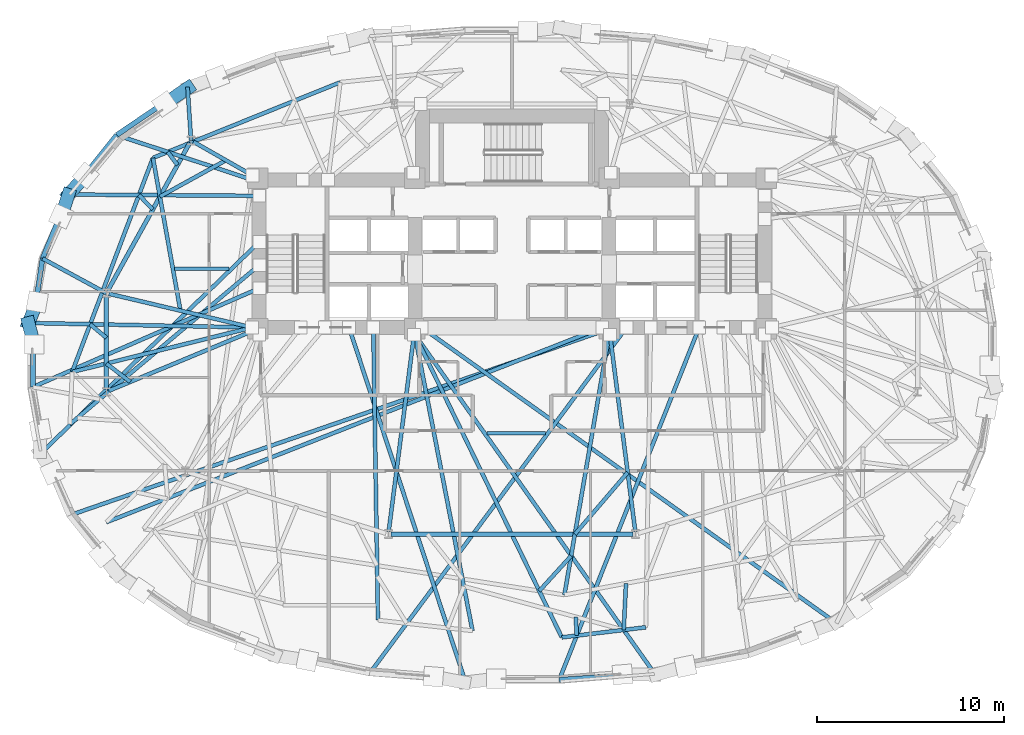
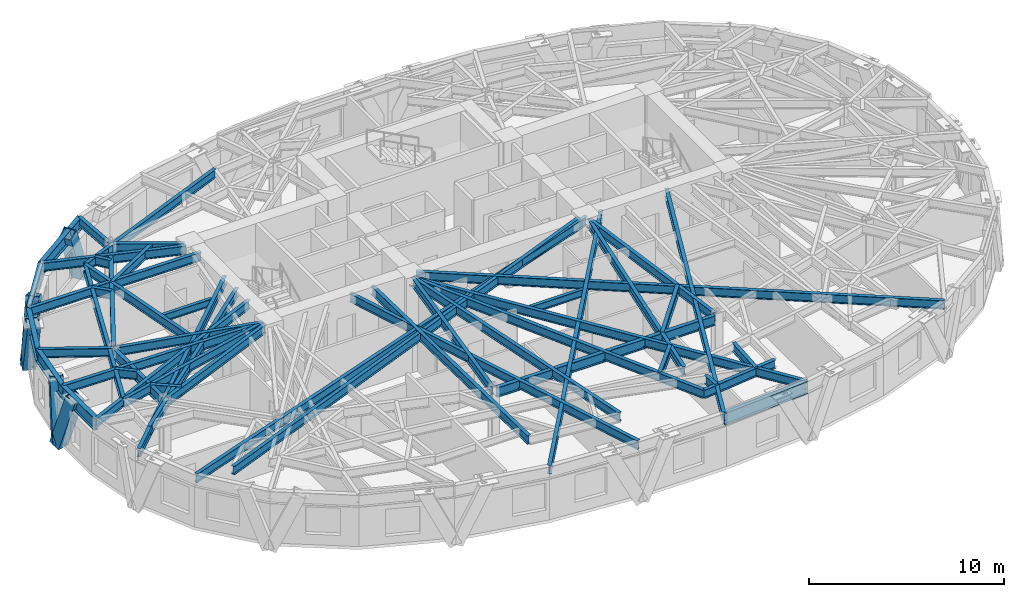
# One storey, part 2 of 14: 49 beams, 5 members.
"""IFC4 building model written with IfcOpenShell, lengths in metres."""

from ifc_helpers import new_model, si_unit, direction, frame, origin, origin_2d, place, context, subcontext, project, spatial, hollow_rectangle, i_section, extrude, material, material_profile, profile_set, type_object, element, save


model = new_model("IFC4")

# Units and contexts
model_context = context("Model", 3, precision=1e-05, world=origin(), true_north=direction((0.0, 1.0)))
body_context = subcontext(model_context, "Body", "Model", "MODEL_VIEW")
ifc_project = project(units=[si_unit("LENGTHUNIT", "METRE"), si_unit("AREAUNIT", "SQUARE_METRE"), si_unit("VOLUMEUNIT", "CUBIC_METRE"), si_unit("PLANEANGLEUNIT", "RADIAN"), si_unit("MASSUNIT", "GRAM", prefix="KILO")], contexts=[model_context])

# Site, building, storey
site_placement = place(None, origin())
site = spatial("IfcSite", under=ifc_project, at=site_placement, CompositionType="ELEMENT")
building_placement = place(site_placement, origin())
building = spatial("IfcBuilding", under=site, at=building_placement, Name="Keldmark Tower", CompositionType="ELEMENT")
storey_placement = place(building_placement, frame((0.0, 0.0, 124.60009765625)))
storey = spatial("IfcBuildingStorey", under=building, at=storey_placement, Name="L33", CompositionType="ELEMENT", Elevation=124.60009765625)

# Beams
ifc_material_1 = material(Name="Steel ASTM A992 Grade 50", Category="steel")
ifc_material_profile_1 = material_profile(ifc_material_1, i_section(OverallWidth=0.19091796875, OverallDepth=0.45703125, WebThickness=0.009033203125, FlangeThickness=0.014404296875, at=origin_2d()), Name="W18X50")
ifc_profile_set_1 = profile_set([ifc_material_profile_1], Name="Steel ASTM A992 Grade 50")
beam_type_1 = type_object("IfcBeamType", Name="Composite Floor Joist W18X50", PredefinedType="JOIST", material=ifc_profile_set_1)
beam_1_placement = place(storey_placement, frame((-1.34765625, -4.179931640625, 3.081298828125), z_axis=(1.0, 0.0, 0.0), x_axis=(0.0, 1.0, 0.0)))
element("IfcBeam", 1, at=beam_1_placement, inside=storey, type_object=beam_type_1, Name="L33 Composite Floor Joist J02", PredefinedType="JOIST", context=body_context, shape_type="SweptSolid", body=[
    extrude(i_section(OverallWidth=0.19091796875, OverallDepth=0.45703125, WebThickness=0.009033203125, FlangeThickness=0.014404296875, at=origin_2d()), origin(), (0.0, 0.0, 1.0), 3.148681640625),
])
beam_2_placement = place(storey_placement, frame((-18.0419921875, 4.6201171875, 3.081298828125), z_axis=(1.0, 0.0, 0.0), x_axis=(0.0, 1.0, 0.0)))
element("IfcBeam", 2, at=beam_2_placement, inside=storey, type_object=beam_type_1, Name="L33 Composite Floor Joist J05", PredefinedType="JOIST", context=body_context, shape_type="SweptSolid", body=[
    extrude(i_section(OverallWidth=0.19091796875, OverallDepth=0.45703125, WebThickness=0.009033203125, FlangeThickness=0.014404296875, at=origin_2d()), origin(), (0.0, 0.0, 1.0), 2.90576171875),
])

# Members
ifc_material_2 = material(Name="Steel ASTM A572 Grade 50", Category="steel")
ifc_material_profile_2 = material_profile(ifc_material_2, hollow_rectangle(XDim=0.699951171875, YDim=0.699951171875, WallThickness=0.044921875, at=origin_2d()), Name="BOX700X700X45")
ifc_profile_set_2 = profile_set([ifc_material_profile_2], Name="Steel ASTM A572 Grade 50")
member_type = type_object("IfcMemberType", Name="Diagrid Zone 2 Brace BOX700X700X45", PredefinedType="BRACE", material=ifc_profile_set_2)
member_1_placement = place(storey_placement, frame((-17.322021484375, 14.29541015625, -0.27001953125), z_axis=(-0.332975985914, -0.227601386532, 0.915054425514), x_axis=(0.564305085306, -0.825566333312, 0.0)))
element("IfcMember", 3, at=member_1_placement, inside=storey, type_object=member_type, Name="L33 Perimeter Diagrid Brace 06B", PredefinedType="BRACE", context=body_context, shape_type="SweptSolid", body=[
    extrude(hollow_rectangle(XDim=0.699951171875, YDim=0.699951171875, WallThickness=0.044921875, at=origin_2d()), origin(), (0.0, 0.0, 1.0), 3.78125),
])
member_2_placement = place(storey_placement, frame((-23.7333984375, 8.57958984375, -0.27001953125), z_axis=(0.250572025596, 0.27604171934, 0.927908739679), x_axis=(-0.740440522639, 0.672121888079, 0.0)))
element("IfcMember", 4, at=member_2_placement, inside=storey, type_object=member_type, Name="L33 Perimeter Diagrid Brace 07A", PredefinedType="BRACE", context=body_context, shape_type="SweptSolid", body=[
    extrude(hollow_rectangle(XDim=0.699951171875, YDim=0.699951171875, WallThickness=0.044921875, at=origin_2d()), origin(), (0.0, 0.0, 1.0), 3.728759765625),
])
member_3_placement = place(storey_placement, frame((-23.72705078125, 8.58935546875, -0.27001953125), z_axis=(-0.105278701487, -0.318893440489, 0.94192535194), x_axis=(0.949589769404, -0.313495246923, 0.0)))
element("IfcMember", 5, at=member_3_placement, inside=storey, type_object=member_type, Name="L33 Perimeter Diagrid Brace 07B", PredefinedType="BRACE", context=body_context, shape_type="SweptSolid", body=[
    extrude(hollow_rectangle(XDim=0.699951171875, YDim=0.699951171875, WallThickness=0.044921875, at=origin_2d()), origin(), (0.0, 0.0, 1.0), 3.67333984375),
])
member_4_placement = place(storey_placement, frame((-25.86767578125, 1.7138671875, -0.27001953125), z_axis=(0.128175440541, 0.308166484705, 0.94265819582), x_axis=(-0.923318485123, 0.384035122131, 0.0)))
element("IfcMember", 6, at=member_4_placement, inside=storey, type_object=member_type, Name="L33 Perimeter Diagrid Brace 08A", PredefinedType="BRACE", context=body_context, shape_type="SweptSolid", body=[
    extrude(hollow_rectangle(XDim=0.699951171875, YDim=0.699951171875, WallThickness=0.044921875, at=origin_2d()), origin(), (0.0, 0.0, 1.0), 3.67041015625),
])
member_5_placement = place(storey_placement, frame((-25.865478515625, 1.725341796875, -0.27001953125), z_axis=(0.081542151597, -0.317034285237, 0.944902185148), x_axis=(0.9684788952, 0.249095623308, 0.0)))
element("IfcMember", 7, at=member_5_placement, inside=storey, type_object=member_type, Name="L33 Perimeter Diagrid Brace 08B", PredefinedType="BRACE", context=body_context, shape_type="SweptSolid", body=[
    extrude(hollow_rectangle(XDim=0.699951171875, YDim=0.699951171875, WallThickness=0.044921875, at=origin_2d()), origin(), (0.0, 0.0, 1.0), 3.66162109375),
])

# Beams
ifc_material_3 = material(Name="Steel ASTM A992 Grade 50", Category="steel")
ifc_material_profile_3 = material_profile(ifc_material_3, i_section(OverallWidth=0.22900390625, OverallDepth=0.612060546875, WebThickness=0.011962890625, FlangeThickness=0.01953125, at=origin_2d()), Name="W24X84")
ifc_profile_set_3 = profile_set([ifc_material_profile_3], Name="Steel ASTM A992 Grade 50")
beam_type_2 = type_object("IfcBeamType", Name="Primary Floor Girder W24X84", PredefinedType="BEAM", material=ifc_profile_set_3)
beam_3_placement = place(storey_placement, frame((-17.235107421875, 11.35595703125, 3.00390625), z_axis=(-0.484951836703, -0.874540860154, 0.0), x_axis=(0.874540860154, -0.484951836703, 0.0)))
element("IfcBeam", 8, at=beam_3_placement, inside=storey, type_object=beam_type_2, Name="L33 Floor Ring Girder FG-R05", PredefinedType="BEAM", context=body_context, shape_type="SweptSolid", body=[
    extrude(i_section(OverallWidth=0.22900390625, OverallDepth=0.612060546875, WebThickness=0.011962890625, FlangeThickness=0.01953125, at=origin_2d()), origin(), (0.0, 0.0, 1.0), 9.060302734375),
])
beam_4_placement = place(storey_placement, frame((-21.697021484375, 3.169921875, 3.00390625), z_axis=(0.0, -1.0, 0.0), x_axis=(1.0, 0.0, 0.0)))
element("IfcBeam", 9, at=beam_4_placement, inside=storey, type_object=beam_type_2, Name="L33 Floor Ring Girder FG-R06", PredefinedType="BEAM", context=body_context, shape_type="SweptSolid", body=[
    extrude(i_section(OverallWidth=0.22900390625, OverallDepth=0.612060546875, WebThickness=0.011962890625, FlangeThickness=0.01953125, at=origin_2d()), origin(), (0.0, 0.0, 1.0), 4.995849609375),
])
beam_5_placement = place(storey_placement, frame((-6.472900390625, -9.579345703125, 3.00390625), z_axis=(1.0, 0.0, 0.0), x_axis=(0.0, 1.0, 0.0)))
element("IfcBeam", 10, at=beam_5_placement, inside=storey, type_object=beam_type_2, Name="L33 Floor Ring Girder FG-R09", PredefinedType="BEAM", context=body_context, shape_type="SweptSolid", body=[
    extrude(i_section(OverallWidth=0.22900390625, OverallDepth=0.612060546875, WebThickness=0.011962890625, FlangeThickness=0.01953125, at=origin_2d()), origin(), (0.0, 0.0, 1.0), 12.94580078125),
])
ifc_material_4 = material(Name="Steel ASTM A992 Grade 50", Category="steel")
ifc_material_profile_4 = material_profile(ifc_material_4, i_section(OverallWidth=0.2099609375, OverallDepth=0.537109375, WebThickness=0.010986328125, FlangeThickness=0.017333984375, at=origin_2d()), Name="W21X68")
ifc_profile_set_4 = profile_set([ifc_material_profile_4], Name="Steel ASTM A992 Grade 50")
beam_type_3 = type_object("IfcBeamType", Name="Radial Tie Girder W21X68", PredefinedType="BEAM", material=ifc_profile_set_4)
beam_6_placement = place(storey_placement, frame((-17.04541015625, 11.4091796875, 3.04150390625), z_axis=(0.86928447329, -0.494312152892, 0.0), x_axis=(0.494312152892, 0.86928447329, 0.0)))
element("IfcBeam", 11, at=beam_6_placement, inside=storey, type_object=beam_type_3, Name="L33 Floor Radial Girder FG-C05", PredefinedType="BEAM", context=body_context, shape_type="SweptSolid", body=[
    extrude(i_section(OverallWidth=0.2099609375, OverallDepth=0.537109375, WebThickness=0.010986328125, FlangeThickness=0.017333984375, at=origin_2d()), origin(), (0.0, 0.0, 1.0), 3.6435546875),
])
beam_7_placement = place(storey_placement, frame((-21.560546875, 3.27783203125, 3.04150390625), z_axis=(0.973283778272, -0.229605502879, 0.0), x_axis=(0.229605502879, 0.973283778272, 0.0)))
element("IfcBeam", 12, at=beam_7_placement, inside=storey, type_object=beam_type_3, Name="L33 Floor Radial Girder FG-C06", PredefinedType="BEAM", context=body_context, shape_type="SweptSolid", body=[
    extrude(i_section(OverallWidth=0.2099609375, OverallDepth=0.537109375, WebThickness=0.010986328125, FlangeThickness=0.017333984375, at=origin_2d()), origin(), (0.0, 0.0, 1.0), 7.85888671875),
])
beam_8_placement = place(storey_placement, frame((-21.567626953125, -1.912109375, 3.04150390625), z_axis=(0.923397393633, 0.383845350932, 0.0), x_axis=(-0.383845350932, 0.923397393633, 0.0)))
element("IfcBeam", 13, at=beam_8_placement, inside=storey, type_object=beam_type_3, Name="L33 Floor Radial Girder FG-C07", PredefinedType="BEAM", context=body_context, shape_type="SweptSolid", body=[
    extrude(i_section(OverallWidth=0.2099609375, OverallDepth=0.537109375, WebThickness=0.010986328125, FlangeThickness=0.017333984375, at=origin_2d()), origin(), (0.0, 0.0, 1.0), 8.30859375),
])
for number, where, z_axis, x_axis, name in (
    (14, (-6.594970703125, -9.4404296875, 3.04150390625), (0.127642040045, 0.991820301069, 0.0), (-0.991820301069, 0.127642040045, 0.0), "L33 Floor Radial Girder FG-C09"),
    (15, (6.594970703125, -9.4404296875, 3.04150390625), (-0.127642040045, 0.991820301069, 0.0), (-0.991820301069, -0.127642040045, 0.0), "L33 Floor Radial Girder FG-C10"),
):
    element("IfcBeam", number, at=place(storey_placement, frame(where, z_axis=z_axis, x_axis=x_axis)), inside=storey, type_object=beam_type_3, Name=name, PredefinedType="BEAM", context=body_context, shape_type="SweptSolid", body=[
        extrude(i_section(OverallWidth=0.2099609375, OverallDepth=0.537109375, WebThickness=0.010986328125, FlangeThickness=0.017333984375, at=origin_2d()), origin(), (0.0, 0.0, 1.0), 10.609619140625),
    ])
beam_9_placement = place(storey_placement, frame((-15.303466796875, 10.418701171875, 3.04150390625), z_axis=(-0.875866476155, -0.482553536873, 0.0), x_axis=(0.482553536873, -0.875866476155, 0.0)))
element("IfcBeam", 16, at=beam_9_placement, inside=storey, type_object=beam_type_3, Name="L33 Framing Pin Header PH-006", PredefinedType="BEAM", context=body_context, shape_type="SweptSolid", body=[
    extrude(i_section(OverallWidth=0.2099609375, OverallDepth=0.537109375, WebThickness=0.010986328125, FlangeThickness=0.017333984375, at=origin_2d()), origin(), (0.0, 0.0, 1.0), 4.02978515625),
])
beam_10_placement = place(storey_placement, frame((-17.736083984375, 2.375732421875, 3.04150390625), z_axis=(-0.177042471135, 0.984203212459, 0.0), x_axis=(-0.984203212459, -0.177042471135, 0.0)))
element("IfcBeam", 17, at=beam_10_placement, inside=storey, type_object=beam_type_3, Name="L33 Sub-Ring Step Girder STP1-M06", PredefinedType="BEAM", context=body_context, shape_type="SweptSolid", body=[
    extrude(i_section(OverallWidth=0.2099609375, OverallDepth=0.537109375, WebThickness=0.010986328125, FlangeThickness=0.017333984375, at=origin_2d()), origin(), (0.0, 0.0, 1.0), 8.301513671875),
])
beam_11_placement = place(storey_placement, frame((-20.416748046875, -1.433837890625, 3.04150390625), z_axis=(-0.793489446427, 0.608584010971, 0.0), x_axis=(-0.608584010971, -0.793489446427, 0.0)))
element("IfcBeam", 18, at=beam_11_placement, inside=storey, type_object=beam_type_3, Name="L33 Framing Pin Header PH-007", PredefinedType="BEAM", context=body_context, shape_type="SweptSolid", body=[
    extrude(i_section(OverallWidth=0.2099609375, OverallDepth=0.537109375, WebThickness=0.010986328125, FlangeThickness=0.017333984375, at=origin_2d()), origin(), (0.0, 0.0, 1.0), 1.613525390625),
])
beam_12_placement = place(storey_placement, frame((-13.89990234375, 1.47509765625, 3.04150390625), z_axis=(-0.970797871066, -0.239898923579, 0.0), x_axis=(0.239898923579, -0.970797871066, 0.0)))
element("IfcBeam", 19, at=beam_12_placement, inside=storey, type_object=beam_type_3, Name="L33 Sub-Ring Step Girder STP1-M07", PredefinedType="BEAM", context=body_context, shape_type="SweptSolid", body=[
    extrude(i_section(OverallWidth=0.2099609375, OverallDepth=0.537109375, WebThickness=0.010986328125, FlangeThickness=0.017333984375, at=origin_2d()), origin(), (0.0, 0.0, 1.0), 9.916259765625),
])
beam_13_placement = place(storey_placement, frame((-9.188720703125, 14.5888671875, 3.04150390625), z_axis=(-0.927326627056, -0.374253025041, 0.0), x_axis=(0.374253025041, -0.927326627056, 0.0)))
element("IfcBeam", 20, at=beam_13_placement, inside=storey, type_object=beam_type_3, Name="L33 Perimeter Collector Ring Beam CRG1-M05", PredefinedType="BEAM", context=body_context, shape_type="SweptSolid", body=[
    extrude(i_section(OverallWidth=0.2099609375, OverallDepth=0.537109375, WebThickness=0.010986328125, FlangeThickness=0.017333984375, at=origin_2d()), origin(), (0.0, 0.0, 1.0), 10.802001953125),
])
beam_14_placement = place(storey_placement, frame((-19.205810546875, 10.546142578125, 3.04150390625), z_axis=(-0.353061865189, -0.935599978275, 0.0), x_axis=(0.935599978275, -0.353061865189, 0.0)))
element("IfcBeam", 21, at=beam_14_placement, inside=storey, type_object=beam_type_3, Name="L33 Perimeter Collector Ring Beam CRG1-M06", PredefinedType="BEAM", context=body_context, shape_type="SweptSolid", body=[
    extrude(i_section(OverallWidth=0.2099609375, OverallDepth=0.537109375, WebThickness=0.010986328125, FlangeThickness=0.017333984375, at=origin_2d()), origin(), (0.0, 0.0, 1.0), 12.238037109375),
])
beam_15_placement = place(storey_placement, frame((6.188720703125, -6.283447265625, 3.04150390625), z_axis=(-0.650842316998, -0.759212933507, 0.0), x_axis=(0.759212933507, -0.650842316998, 0.0)))
element("IfcBeam", 22, at=beam_15_placement, inside=storey, type_object=beam_type_3, Name="L33 Framing Pin Header PH-011", PredefinedType="BEAM", context=body_context, shape_type="SweptSolid", body=[
    extrude(i_section(OverallWidth=0.2099609375, OverallDepth=0.537109375, WebThickness=0.010986328125, FlangeThickness=0.017333984375, at=origin_2d()), origin(), (0.0, 0.0, 1.0), 4.34130859375),
])
beam_16_placement = place(storey_placement, frame((5.199951171875, 1.10009765625, 3.04150390625), z_axis=(-0.169486376085, -0.985532530321, 0.0), x_axis=(0.985532530321, -0.169486376085, 0.0)))
element("IfcBeam", 23, at=beam_16_placement, inside=storey, type_object=beam_type_3, Name="L33 Sub-Ring Step Girder STP2-M10", PredefinedType="BEAM", context=body_context, shape_type="SweptSolid", body=[
    extrude(i_section(OverallWidth=0.2099609375, OverallDepth=0.537109375, WebThickness=0.010986328125, FlangeThickness=0.017333984375, at=origin_2d()), origin(), (0.0, 0.0, 1.0), 14.134033203125),
])
beam_17_placement = place(storey_placement, frame((-17.1669921875, 11.478271484375, 3.04150390625), z_axis=(-0.06567657355, 0.997840963123, 0.0), x_axis=(-0.997840963123, -0.06567657355, 0.0)))
element("IfcBeam", 24, at=beam_17_placement, inside=storey, type_object=beam_type_3, Name="L33 Perimeter Column Bracket RT-12", PredefinedType="BEAM", context=body_context, shape_type="SweptSolid", body=[
    extrude(i_section(OverallWidth=0.2099609375, OverallDepth=0.537109375, WebThickness=0.010986328125, FlangeThickness=0.017333984375, at=origin_2d()), origin(), (0.0, 0.0, 1.0), 2.865966796875),
])
beam_18_placement = place(storey_placement, frame((-17.89404296875, 10.16748046875, 3.04150390625), z_axis=(-0.598473992641, 0.801142234645, 0.0), x_axis=(-0.801142234645, -0.598473992641, 0.0)))
element("IfcBeam", 25, at=beam_18_placement, inside=storey, type_object=beam_type_3, Name="L33 Framing Pin Header PH-021", PredefinedType="BEAM", context=body_context, shape_type="SweptSolid", body=[
    extrude(i_section(OverallWidth=0.2099609375, OverallDepth=0.537109375, WebThickness=0.010986328125, FlangeThickness=0.017333984375, at=origin_2d()), origin(), (0.0, 0.0, 1.0), 0.870849609375),
])
beam_19_placement = place(storey_placement, frame((-13.89990234375, 9.375, 3.04150390625), z_axis=(-0.949610083741, 0.313433707276, 0.0), x_axis=(-0.313433707276, -0.949610083741, 0.0)))
element("IfcBeam", 26, at=beam_19_placement, inside=storey, type_object=beam_type_3, Name="L33 Perimeter Radial Tie Girder RT-13", PredefinedType="BEAM", context=body_context, shape_type="SweptSolid", body=[
    extrude(i_section(OverallWidth=0.2099609375, OverallDepth=0.537109375, WebThickness=0.010986328125, FlangeThickness=0.017333984375, at=origin_2d()), origin(), (0.0, 0.0, 1.0), 7.6318359375),
])
beam_20_placement = place(storey_placement, frame((-19.21240234375, 7.790283203125, 3.04150390625), z_axis=(-0.694211586082, 0.719770987016, 0.0), x_axis=(-0.719770987016, -0.694211586082, 0.0)))
element("IfcBeam", 27, at=beam_20_placement, inside=storey, type_object=beam_type_3, Name="L33 Framing Pin Header PH-022", PredefinedType="BEAM", context=body_context, shape_type="SweptSolid", body=[
    extrude(i_section(OverallWidth=0.2099609375, OverallDepth=0.537109375, WebThickness=0.010986328125, FlangeThickness=0.017333984375, at=origin_2d()), origin(), (0.0, 0.0, 1.0), 1.06982421875),
])
beam_21_placement = place(storey_placement, frame((-13.52490234375, 8.514404296875, 3.04150390625), z_axis=(-0.999974581324, 0.007129986332, 0.0), x_axis=(-0.007129986332, -0.999974581324, 0.0)))
element("IfcBeam", 28, at=beam_21_placement, inside=storey, type_object=beam_type_3, Name="L33 Perimeter Radial Tie Girder RT-14", PredefinedType="BEAM", context=body_context, shape_type="SweptSolid", body=[
    extrude(i_section(OverallWidth=0.2099609375, OverallDepth=0.537109375, WebThickness=0.010986328125, FlangeThickness=0.017333984375, at=origin_2d()), origin(), (0.0, 0.0, 1.0), 10.169677734375),
])
beam_22_placement = place(storey_placement, frame((-21.697021484375, 3.309814453125, 3.04150390625), z_axis=(-0.878689267089, 0.477394147327, 0.0), x_axis=(-0.477394147327, -0.878689267089, 0.0)))
element("IfcBeam", 29, at=beam_22_placement, inside=storey, type_object=beam_type_3, Name="L33 Perimeter Column Bracket RT-15", PredefinedType="BEAM", context=body_context, shape_type="SweptSolid", body=[
    extrude(i_section(OverallWidth=0.2099609375, OverallDepth=0.537109375, WebThickness=0.010986328125, FlangeThickness=0.017333984375, at=origin_2d()), origin(), (0.0, 0.0, 1.0), 3.885009765625),
])
beam_23_placement = place(storey_placement, frame((-21.697021484375, 0.921875, 3.04150390625), z_axis=(-0.765543273043, 0.643384408498, 0.0), x_axis=(-0.643384408498, -0.765543273043, 0.0)))
element("IfcBeam", 30, at=beam_23_placement, inside=storey, type_object=beam_type_3, Name="L33 Framing Pin Header PH-023", PredefinedType="BEAM", context=body_context, shape_type="SweptSolid", body=[
    extrude(i_section(OverallWidth=0.2099609375, OverallDepth=0.537109375, WebThickness=0.010986328125, FlangeThickness=0.017333984375, at=origin_2d()), origin(), (0.0, 0.0, 1.0), 1.131103515625),
])
beam_24_placement = place(storey_placement, frame((-13.89990234375, 1.47509765625, 3.04150390625), z_axis=(-0.999797404583, 0.020128332991, 0.0), x_axis=(-0.020128332991, -0.999797404583, 0.0)))
element("IfcBeam", 31, at=beam_24_placement, inside=storey, type_object=beam_type_3, Name="L33 Perimeter Radial Tie Girder RT-16", PredefinedType="BEAM", context=body_context, shape_type="SweptSolid", body=[
    extrude(i_section(OverallWidth=0.2099609375, OverallDepth=0.537109375, WebThickness=0.010986328125, FlangeThickness=0.017333984375, at=origin_2d()), origin(), (0.0, 0.0, 1.0), 11.72900390625),
])
beam_25_placement = place(storey_placement, frame((-13.52490234375, 3.5712890625, 3.04150390625), z_axis=(-0.916489709858, -0.400058260414, 0.0), x_axis=(0.400058260414, -0.916489709858, 0.0)))
element("IfcBeam", 32, at=beam_25_placement, inside=storey, type_object=beam_type_3, Name="L33 Perimeter Radial Tie Girder RT-17", PredefinedType="BEAM", context=body_context, shape_type="SweptSolid", body=[
    extrude(i_section(OverallWidth=0.2099609375, OverallDepth=0.537109375, WebThickness=0.010986328125, FlangeThickness=0.017333984375, at=origin_2d()), origin(), (0.0, 0.0, 1.0), 13.204345703125),
])
beam_26_placement = place(storey_placement, frame((-13.52490234375, 4.80712890625, 3.04150390625), z_axis=(-0.765606304819, -0.643309401472, 0.0), x_axis=(0.643309401472, -0.765606304819, 0.0)))
element("IfcBeam", 33, at=beam_26_placement, inside=storey, type_object=beam_type_3, Name="L33 Intermediate Radial Step Girder RT-18M", PredefinedType="BEAM", context=body_context, shape_type="SweptSolid", body=[
    extrude(i_section(OverallWidth=0.2099609375, OverallDepth=0.537109375, WebThickness=0.010986328125, FlangeThickness=0.017333984375, at=origin_2d()), origin(), (0.0, 0.0, 1.0), 13.225341796875),
])
beam_27_placement = place(storey_placement, frame((-13.52490234375, 6.04296875, 3.04150390625), z_axis=(-0.718747152296, -0.695271552033, 0.0), x_axis=(0.695271552033, -0.718747152296, 0.0)))
element("IfcBeam", 34, at=beam_27_placement, inside=storey, type_object=beam_type_3, Name="L33 Perimeter Radial Tie Girder RT-18", PredefinedType="BEAM", context=body_context, shape_type="SweptSolid", body=[
    extrude(i_section(OverallWidth=0.2099609375, OverallDepth=0.537109375, WebThickness=0.010986328125, FlangeThickness=0.017333984375, at=origin_2d()), origin(), (0.0, 0.0, 1.0), 16.11962890625),
])
beam_28_placement = place(storey_placement, frame((4.824951171875, 1.47509765625, 3.04150390625), z_axis=(-0.930775127443, -0.36559220743, 0.0), x_axis=(0.36559220743, -0.930775127443, 0.0)))
element("IfcBeam", 35, at=beam_28_placement, inside=storey, type_object=beam_type_3, Name="L33 Intermediate Radial Step Girder RT-19M", PredefinedType="BEAM", context=body_context, shape_type="SweptSolid", body=[
    extrude(i_section(OverallWidth=0.2099609375, OverallDepth=0.537109375, WebThickness=0.010986328125, FlangeThickness=0.017333984375, at=origin_2d()), origin(), (0.0, 0.0, 1.0), 28.49951171875),
])
beam_29_placement = place(storey_placement, frame((5.199951171875, 1.39990234375, 3.04150390625), z_axis=(-0.945138167254, -0.326670850856, 0.0), x_axis=(0.326670850856, -0.945138167254, 0.0)))
element("IfcBeam", 36, at=beam_29_placement, inside=storey, type_object=beam_type_3, Name="L33 Perimeter Radial Tie Girder RT-19", PredefinedType="BEAM", context=body_context, shape_type="SweptSolid", body=[
    extrude(i_section(OverallWidth=0.2099609375, OverallDepth=0.537109375, WebThickness=0.010986328125, FlangeThickness=0.017333984375, at=origin_2d()), origin(), (0.0, 0.0, 1.0), 30.571533203125),
])
beam_30_placement = place(storey_placement, frame((-7.41796875, 1.47509765625, 3.04150390625), z_axis=(0.015748288493, -0.999875988015, 0.0), x_axis=(0.999875988015, 0.015748288493, 0.0)))
element("IfcBeam", 37, at=beam_30_placement, inside=storey, type_object=beam_type_3, Name="L33 Intermediate Radial Step Girder RT-23M", PredefinedType="BEAM", context=body_context, shape_type="SweptSolid", body=[
    extrude(i_section(OverallWidth=0.2099609375, OverallDepth=0.537109375, WebThickness=0.010986328125, FlangeThickness=0.017333984375, at=origin_2d()), origin(), (0.0, 0.0, 1.0), 15.65771484375),
])
beam_31_placement = place(storey_placement, frame((-5.199951171875, 1.10009765625, 3.04150390625), z_axis=(0.191202706914, -0.981550571733, 0.0), x_axis=(0.981550571733, 0.191202706914, 0.0)))
element("IfcBeam", 38, at=beam_31_placement, inside=storey, type_object=beam_type_3, Name="L33 Intermediate Radial Step Girder RT-24M", PredefinedType="BEAM", context=body_context, shape_type="SweptSolid", body=[
    extrude(i_section(OverallWidth=0.2099609375, OverallDepth=0.537109375, WebThickness=0.010986328125, FlangeThickness=0.017333984375, at=origin_2d()), origin(), (0.0, 0.0, 1.0), 16.147216796875),
])
beam_32_placement = place(storey_placement, frame((-8.71435546875, 1.47509765625, 3.04150390625), z_axis=(0.312008905764, -0.950079177081, 0.0), x_axis=(0.950079177081, 0.312008905764, 0.0)))
element("IfcBeam", 39, at=beam_32_placement, inside=storey, type_object=beam_type_3, Name="L33 Perimeter Radial Tie Girder RT-24", PredefinedType="BEAM", context=body_context, shape_type="SweptSolid", body=[
    extrude(i_section(OverallWidth=0.2099609375, OverallDepth=0.537109375, WebThickness=0.010986328125, FlangeThickness=0.017333984375, at=origin_2d()), origin(), (0.0, 0.0, 1.0), 19.840576171875),
])
beam_33_placement = place(storey_placement, frame((3.163818359375, -10.739990234375, 3.04150390625), z_axis=(-0.672116957273, -0.740444998462, 0.0), x_axis=(0.740444998462, -0.672116957273, 0.0)))
element("IfcBeam", 40, at=beam_33_placement, inside=storey, type_object=beam_type_3, Name="L33 Framing Pin Header PH-035", PredefinedType="BEAM", context=body_context, shape_type="SweptSolid", body=[
    extrude(i_section(OverallWidth=0.2099609375, OverallDepth=0.537109375, WebThickness=0.010986328125, FlangeThickness=0.017333984375, at=origin_2d()), origin(), (0.0, 0.0, 1.0), 2.536865234375),
])
beam_34_placement = place(storey_placement, frame((-5.199951171875, 1.10009765625, 3.04150390625), z_axis=(0.436657946174, -0.899627610761, 0.0), x_axis=(0.899627610761, 0.436657946174, 0.0)))
element("IfcBeam", 41, at=beam_34_placement, inside=storey, type_object=beam_type_3, Name="L33 Intermediate Radial Step Girder RT-25M", PredefinedType="BEAM", context=body_context, shape_type="SweptSolid", body=[
    extrude(i_section(OverallWidth=0.2099609375, OverallDepth=0.537109375, WebThickness=0.010986328125, FlangeThickness=0.017333984375, at=origin_2d()), origin(), (0.0, 0.0, 1.0), 18.010009765625),
])
beam_35_placement = place(storey_placement, frame((2.664306640625, -15.102294921875, 3.04150390625), z_axis=(0.992853834188, 0.119336766914, 0.0), x_axis=(-0.119336766914, 0.992853834188, 0.0)))
element("IfcBeam", 42, at=beam_35_placement, inside=storey, type_object=beam_type_3, Name="L33 Local Collector Chord RT-26C", PredefinedType="BEAM", context=body_context, shape_type="SweptSolid", body=[
    extrude(i_section(OverallWidth=0.2099609375, OverallDepth=0.537109375, WebThickness=0.010986328125, FlangeThickness=0.017333984375, at=origin_2d()), origin(), (0.0, 0.0, 1.0), 4.523193359375),
])
beam_36_placement = place(storey_placement, frame((6.09814453125, -12.211181640625, 3.04150390625), z_axis=(-0.049000995259, -0.998798729707, 0.0), x_axis=(0.998798729707, -0.049000995259, 0.0)))
element("IfcBeam", 43, at=beam_36_placement, inside=storey, type_object=beam_type_3, Name="L33 Framing Pin Header PH-037", PredefinedType="BEAM", context=body_context, shape_type="SweptSolid", body=[
    extrude(i_section(OverallWidth=0.2099609375, OverallDepth=0.537109375, WebThickness=0.010986328125, FlangeThickness=0.017333984375, at=origin_2d()), origin(), (0.0, 0.0, 1.0), 2.49609375),
])
beam_37_placement = place(storey_placement, frame((-5.199951171875, 1.10009765625, 3.04150390625), z_axis=(0.577364773886, -0.816486324365, 0.0), x_axis=(0.816486324365, 0.577364773886, 0.0)))
element("IfcBeam", 44, at=beam_37_placement, inside=storey, type_object=beam_type_3, Name="L33 Perimeter Radial Tie Girder RT-26", PredefinedType="BEAM", context=body_context, shape_type="SweptSolid", body=[
    extrude(i_section(OverallWidth=0.2099609375, OverallDepth=0.537109375, WebThickness=0.010986328125, FlangeThickness=0.017333984375, at=origin_2d()), origin(), (0.0, 0.0, 1.0), 22.199462890625),
])
beam_38_placement = place(storey_placement, frame((-4.824951171875, 1.47509765625, 3.04150390625), z_axis=(0.814249708928, -0.580514781475, 0.0), x_axis=(0.580514781475, 0.814249708928, 0.0)))
element("IfcBeam", 45, at=beam_38_placement, inside=storey, type_object=beam_type_3, Name="L33 Perimeter Radial Tie Girder RT-28", PredefinedType="BEAM", context=body_context, shape_type="SweptSolid", body=[
    extrude(i_section(OverallWidth=0.2099609375, OverallDepth=0.537109375, WebThickness=0.010986328125, FlangeThickness=0.017333984375, at=origin_2d()), origin(), (0.0, 0.0, 1.0), 27.239990234375),
])
beam_39_placement = place(storey_placement, frame((6.121337890625, 1.47509765625, 3.04150390625), z_axis=(-0.596192716682, -0.802841357041, 0.0), x_axis=(0.802841357041, -0.596192716682, 0.0)))
element("IfcBeam", 46, at=beam_39_placement, inside=storey, type_object=beam_type_3, Name="L33 Perimeter Radial Tie Girder RT-23R", PredefinedType="BEAM", context=body_context, shape_type="SweptSolid", body=[
    extrude(i_section(OverallWidth=0.2099609375, OverallDepth=0.537109375, WebThickness=0.010986328125, FlangeThickness=0.017333984375, at=origin_2d()), origin(), (0.0, 0.0, 1.0), 23.043701171875),
])
beam_40_placement = place(storey_placement, frame((3.410400390625, -14.004638671875, 3.04150390625), z_axis=(0.054283568966, -0.998525560084, 0.0), x_axis=(0.998525560084, 0.054283568966, 0.0)))
element("IfcBeam", 47, at=beam_40_placement, inside=storey, type_object=beam_type_3, Name="L33 Framing Pin Header PH-046", PredefinedType="BEAM", context=body_context, shape_type="SweptSolid", body=[
    extrude(i_section(OverallWidth=0.2099609375, OverallDepth=0.537109375, WebThickness=0.010986328125, FlangeThickness=0.017333984375, at=origin_2d()), origin(), (0.0, 0.0, 1.0), 1.0029296875),
])
beam_41_placement = place(storey_placement, frame((10.0107421875, 1.47509765625, 3.04150390625), z_axis=(-0.369127443294, -0.929378787475, 0.0), x_axis=(0.929378787475, -0.369127443294, 0.0)))
element("IfcBeam", 48, at=beam_41_placement, inside=storey, type_object=beam_type_3, Name="L33 Perimeter Radial Tie Girder RT-25R", PredefinedType="BEAM", context=body_context, shape_type="SweptSolid", body=[
    extrude(i_section(OverallWidth=0.2099609375, OverallDepth=0.537109375, WebThickness=0.010986328125, FlangeThickness=0.017333984375, at=origin_2d()), origin(), (0.0, 0.0, 1.0), 20.282470703125),
])
ifc_material_5 = material(Name="Steel ASTM A992 Grade 50", Category="steel")
ifc_material_profile_5 = material_profile(ifc_material_5, i_section(OverallWidth=0.26806640625, OverallDepth=0.77001953125, WebThickness=0.015625, FlangeThickness=0.025390625, at=origin_2d()), Name="W30X132")
ifc_profile_set_5 = profile_set([ifc_material_profile_5], Name="Steel ASTM A992 Grade 50")
beam_type_4 = type_object("IfcBeamType", Name="Spandrel Ring Beam W30X132", PredefinedType="SPANDREL", material=ifc_profile_set_5)
beam_42_placement = place(storey_placement, frame((-17.355224609375, 14.338134765625, 2.9248046875), z_axis=(-0.827687941294, -0.561188624116, 0.0), x_axis=(0.561188624116, -0.827687941294, 0.0)))
element("IfcBeam", 49, at=beam_42_placement, inside=storey, type_object=beam_type_4, Name="L33 Perimeter Spandrel Ring Beam SRB-12", PredefinedType="SPANDREL", context=body_context, shape_type="SweptSolid", body=[
    extrude(i_section(OverallWidth=0.26806640625, OverallDepth=0.77001953125, WebThickness=0.015625, FlangeThickness=0.025390625, at=origin_2d()), origin(), (0.0, 0.0, 1.0), 4.58154296875),
])
beam_43_placement = place(storey_placement, frame((-21.147216796875, 11.76708984375, 2.9248046875), z_axis=(-0.625140688788, -0.780512087813, 0.0), x_axis=(0.780512087813, -0.625140688788, 0.0)))
element("IfcBeam", 50, at=beam_43_placement, inside=storey, type_object=beam_type_4, Name="L33 Perimeter Spandrel Ring Beam SRB-13", PredefinedType="SPANDREL", context=body_context, shape_type="SweptSolid", body=[
    extrude(i_section(OverallWidth=0.26806640625, OverallDepth=0.77001953125, WebThickness=0.015625, FlangeThickness=0.025390625, at=origin_2d()), origin(), (0.0, 0.0, 1.0), 4.074462890625),
])
beam_44_placement = place(storey_placement, frame((-23.6943359375, 8.5869140625, 2.9248046875), z_axis=(-0.382433297136, -0.923983102249, 0.0), x_axis=(0.923983102249, -0.382433297136, 0.0)))
element("IfcBeam", 51, at=beam_44_placement, inside=storey, type_object=beam_type_4, Name="L33 Perimeter Spandrel Ring Beam SRB-14", PredefinedType="SPANDREL", context=body_context, shape_type="SweptSolid", body=[
    extrude(i_section(OverallWidth=0.26806640625, OverallDepth=0.77001953125, WebThickness=0.015625, FlangeThickness=0.025390625, at=origin_2d()), origin(), (0.0, 0.0, 1.0), 3.703857421875),
])
beam_45_placement = place(storey_placement, frame((-25.11083984375, 5.16455078125, 2.9248046875), z_axis=(-0.147673688434, -0.989036137734, 0.0), x_axis=(0.989036137734, -0.147673688434, 0.0)))
element("IfcBeam", 52, at=beam_45_placement, inside=storey, type_object=beam_type_4, Name="L33 Perimeter Spandrel Ring Beam SRB-15", PredefinedType="SPANDREL", context=body_context, shape_type="SweptSolid", body=[
    extrude(i_section(OverallWidth=0.26806640625, OverallDepth=0.77001953125, WebThickness=0.015625, FlangeThickness=0.025390625, at=origin_2d()), origin(), (0.0, 0.0, 1.0), 3.49169921875),
])
beam_46_placement = place(storey_placement, frame((-25.62646484375, 1.711181640625, 2.9248046875), z_axis=(0.0, -1.0, 0.0), x_axis=(1.0, 0.0, 0.0)))
element("IfcBeam", 53, at=beam_46_placement, inside=storey, type_object=beam_type_4, Name="L33 Perimeter Spandrel Ring Beam SRB-16", PredefinedType="SPANDREL", context=body_context, shape_type="SweptSolid", body=[
    extrude(i_section(OverallWidth=0.26806640625, OverallDepth=0.77001953125, WebThickness=0.015625, FlangeThickness=0.025390625, at=origin_2d()), origin(), (0.0, 0.0, 1.0), 3.42236328125),
])
beam_47_placement = place(storey_placement, frame((2.52392578125, -17.375, 2.9248046875), z_axis=(0.997652461218, 0.068480410529, 0.0), x_axis=(-0.068480410529, 0.997652461218, 0.0)))
element("IfcBeam", 54, at=beam_47_placement, inside=storey, type_object=beam_type_4, Name="L33 Perimeter Spandrel Ring Beam SRB-25", PredefinedType="SPANDREL", context=body_context, shape_type="SweptSolid", body=[
    extrude(i_section(OverallWidth=0.26806640625, OverallDepth=0.77001953125, WebThickness=0.015625, FlangeThickness=0.025390625, at=origin_2d()), origin(), (0.0, 0.0, 1.0), 5.105224609375),
])

save(model, "model.ifc")
